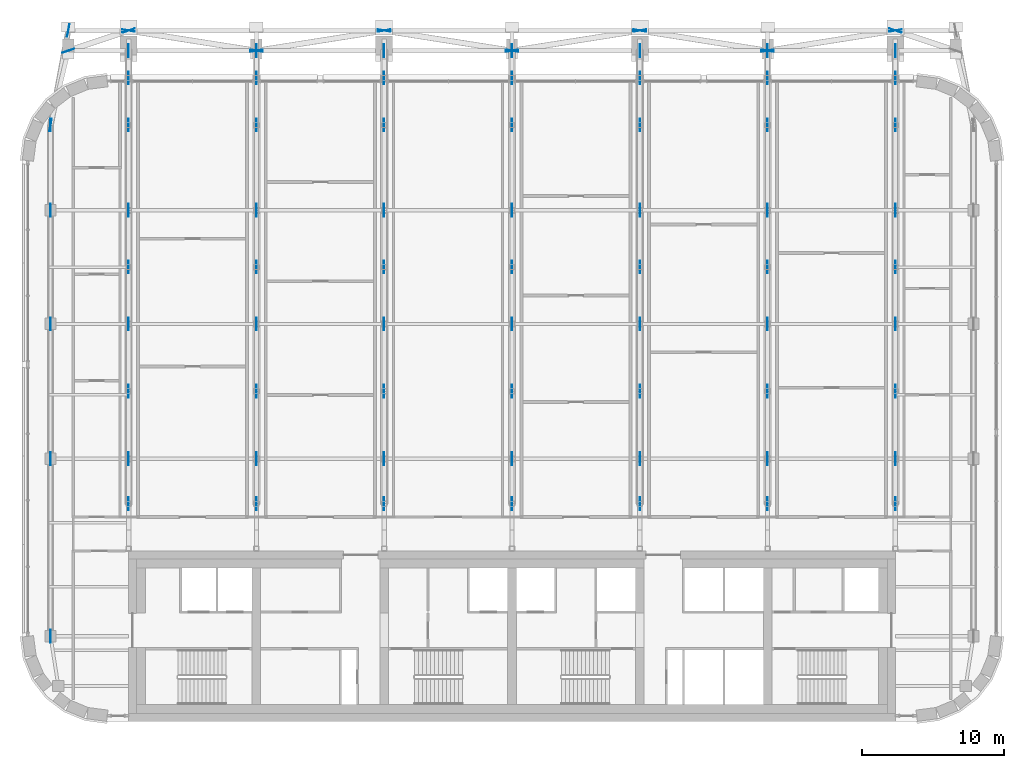
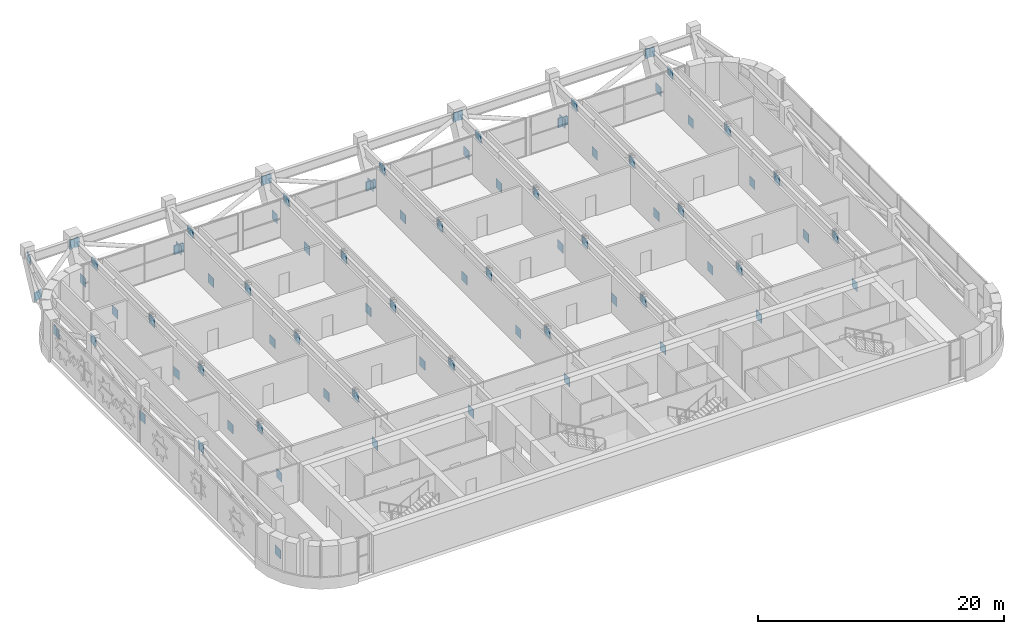
# One storey, part 22 of 28: 85 discrete accessories.
"""IFC4 building model written with IfcOpenShell, lengths in metres."""

from ifc_helpers import new_model, si_unit, direction, frame, origin, origin_2d, place, context, subcontext, project, spatial, rectangle, extrude, element, save


model = new_model("IFC4")

# Units and contexts
model_context = context("Model", 3, precision=1e-05, world=origin(), true_north=direction((0.0, 1.0)))
body_context = subcontext(model_context, "Body", "Model", "MODEL_VIEW")
ifc_project = project(units=[si_unit("LENGTHUNIT", "METRE"), si_unit("AREAUNIT", "SQUARE_METRE"), si_unit("VOLUMEUNIT", "CUBIC_METRE"), si_unit("PLANEANGLEUNIT", "RADIAN"), si_unit("MASSUNIT", "GRAM", prefix="KILO")], contexts=[model_context])

# Site, building, storey
site_placement = place(None, origin())
site = spatial("IfcSite", under=ifc_project, at=site_placement, CompositionType="ELEMENT")
building_placement = place(site_placement, origin())
building = spatial("IfcBuilding", under=site, at=building_placement, Name="Zellij Exchange Tower", CompositionType="ELEMENT")
storey_placement = place(building_placement, frame((0.0, 0.0, 268.5)))
storey = spatial("IfcBuildingStorey", under=building, at=storey_placement, Name="L63", CompositionType="ELEMENT", Elevation=268.5)

# Discrete accessories
for number, where, z_axis, x_axis, name in (
    (1, (-27.0, 1.339111328125, 0.03271484375), (0.0, 0.0, 1.0), (0.0, 1.0, 0.0), "Gusset plate"),
    (2, (-27.0, 4.5, 2.847412109375), (0.0, 0.0, 1.0), (0.0, 1.0, 0.0), "Gusset plate"),
    (3, (-27.0, 9.25, 0.03271484375), (0.0, 0.0, 1.0), (0.0, 1.0, 0.0), "Gusset plate"),
    (4, (-27.0, 14.0, 2.847412109375), (0.0, 0.0, 1.0), (0.0, 1.0, 0.0), "Gusset plate"),
    (5, (-27.0, 18.0, 0.03271484375), (0.0, 0.0, 1.0), (0.0, 1.0, 0.0), "Gusset plate"),
    (6, (-27.0, 22.0, 2.847412109375), (0.0, 0.0, 1.0), (0.0, 1.0, 0.0), "Gusset plate"),
    (7, (-27.0, 28.0, 0.03271484375), (0.0, 0.0, 1.0), (0.0, 1.0, 0.0), "Gusset plate"),
    (8, (-27.0, 31.323974609375, 2.847412109375), (0.0, 0.0, 1.0), (0.0, 1.0, 0.0), "Gusset plate"),
    (9, (-27.0, 33.2412109375, 0.03271484375), (0.0, 0.0, 1.0), (0.0, 1.0, 0.0), "Gusset plate"),
    (10, (-18.0, 1.339111328125, 0.03271484375), (0.0, 0.0, 1.0), (0.0, 1.0, 0.0), "Gusset plate"),
    (11, (-18.0, 4.5, 2.847412109375), (0.0, 0.0, 1.0), (0.0, 1.0, 0.0), "Gusset plate"),
    (12, (-18.0, 9.25, 0.03271484375), (0.0, 0.0, 1.0), (0.0, 1.0, 0.0), "Gusset plate"),
    (13, (-18.0, 14.0, 2.847412109375), (0.0, 0.0, 1.0), (0.0, 1.0, 0.0), "Gusset plate"),
    (14, (-18.0, 18.0, 0.03271484375), (0.0, 0.0, 1.0), (0.0, 1.0, 0.0), "Gusset plate"),
    (15, (-18.0, 22.0, 2.847412109375), (0.0, 0.0, 1.0), (0.0, 1.0, 0.0), "Gusset plate"),
    (16, (-18.0, 28.0, 0.03271484375), (0.0, 0.0, 1.0), (0.0, 1.0, 0.0), "Gusset plate"),
    (17, (-18.0, 31.323974609375, 2.847412109375), (0.0, 0.0, 1.0), (0.0, 1.0, 0.0), "Gusset plate"),
    (18, (-18.0, 33.2412109375, 0.03271484375), (0.0, 0.0, 1.0), (0.0, 1.0, 0.0), "Gusset plate"),
    (19, (-9.0, 1.339111328125, 0.03271484375), (0.0, 0.0, 1.0), (0.0, 1.0, 0.0), "Gusset plate"),
    (20, (-9.0, 4.5, 2.847412109375), (0.0, 0.0, 1.0), (0.0, 1.0, 0.0), "Gusset plate"),
    (21, (-9.0, 9.25, 0.03271484375), (0.0, 0.0, 1.0), (0.0, 1.0, 0.0), "Gusset plate"),
    (22, (-9.0, 14.0, 2.847412109375), (0.0, 0.0, 1.0), (0.0, 1.0, 0.0), "Gusset plate"),
    (23, (-9.0, 18.0, 0.03271484375), (0.0, 0.0, 1.0), (0.0, 1.0, 0.0), "Gusset plate"),
    (24, (-9.0, 22.0, 2.847412109375), (0.0, 0.0, 1.0), (0.0, 1.0, 0.0), "Gusset plate"),
    (25, (-9.0, 28.0, 0.03271484375), (0.0, 0.0, 1.0), (0.0, 1.0, 0.0), "Gusset plate"),
    (26, (-9.0, 31.323974609375, 2.847412109375), (0.0, 0.0, 1.0), (0.0, 1.0, 0.0), "Gusset plate"),
    (27, (-9.0, 33.2412109375, 0.03271484375), (0.0, 0.0, 1.0), (0.0, 1.0, 0.0), "Gusset plate"),
    (28, (0.0, 1.339111328125, 0.03271484375), (0.0, 0.0, 1.0), (0.0, 1.0, 0.0), "Gusset plate"),
    (29, (0.0, 4.5, 2.847412109375), (0.0, 0.0, 1.0), (0.0, 1.0, 0.0), "Gusset plate"),
    (30, (0.0, 9.25, 0.03271484375), (0.0, 0.0, 1.0), (0.0, 1.0, 0.0), "Gusset plate"),
    (31, (0.0, 14.0, 2.847412109375), (0.0, 0.0, 1.0), (0.0, 1.0, 0.0), "Gusset plate"),
    (32, (0.0, 18.0, 0.03271484375), (0.0, 0.0, 1.0), (0.0, 1.0, 0.0), "Gusset plate"),
    (33, (0.0, 22.0, 2.847412109375), (0.0, 0.0, 1.0), (0.0, 1.0, 0.0), "Gusset plate"),
    (34, (0.0, 28.0, 0.03271484375), (0.0, 0.0, 1.0), (0.0, 1.0, 0.0), "Gusset plate"),
    (35, (0.0, 31.323974609375, 2.847412109375), (0.0, 0.0, 1.0), (0.0, 1.0, 0.0), "Gusset plate"),
    (36, (0.0, 33.2412109375, 0.03271484375), (0.0, 0.0, 1.0), (0.0, 1.0, 0.0), "Gusset plate"),
    (37, (9.0, 1.339111328125, 0.03271484375), (0.0, 0.0, 1.0), (0.0, 1.0, 0.0), "Gusset plate"),
    (38, (9.0, 4.5, 2.847412109375), (0.0, 0.0, 1.0), (0.0, 1.0, 0.0), "Gusset plate"),
    (39, (9.0, 9.25, 0.03271484375), (0.0, 0.0, 1.0), (0.0, 1.0, 0.0), "Gusset plate"),
    (40, (9.0, 14.0, 2.847412109375), (0.0, 0.0, 1.0), (0.0, 1.0, 0.0), "Gusset plate"),
    (41, (9.0, 18.0, 0.03271484375), (0.0, 0.0, 1.0), (0.0, 1.0, 0.0), "Gusset plate"),
    (42, (9.0, 22.0, 2.847412109375), (0.0, 0.0, 1.0), (0.0, 1.0, 0.0), "Gusset plate"),
    (43, (9.0, 28.0, 0.03271484375), (0.0, 0.0, 1.0), (0.0, 1.0, 0.0), "Gusset plate"),
    (44, (9.0, 31.323974609375, 2.847412109375), (0.0, 0.0, 1.0), (0.0, 1.0, 0.0), "Gusset plate"),
    (45, (9.0, 33.2412109375, 0.03271484375), (0.0, 0.0, 1.0), (0.0, 1.0, 0.0), "Gusset plate"),
    (46, (18.0, 1.339111328125, 0.03271484375), (0.0, 0.0, 1.0), (0.0, 1.0, 0.0), "Gusset plate"),
    (47, (18.0, 4.5, 2.847412109375), (0.0, 0.0, 1.0), (0.0, 1.0, 0.0), "Gusset plate"),
    (48, (18.0, 9.25, 0.03271484375), (0.0, 0.0, 1.0), (0.0, 1.0, 0.0), "Gusset plate"),
    (49, (18.0, 14.0, 2.847412109375), (0.0, 0.0, 1.0), (0.0, 1.0, 0.0), "Gusset plate"),
    (50, (18.0, 18.0, 0.03271484375), (0.0, 0.0, 1.0), (0.0, 1.0, 0.0), "Gusset plate"),
    (51, (18.0, 22.0, 2.847412109375), (0.0, 0.0, 1.0), (0.0, 1.0, 0.0), "Gusset plate"),
    (52, (18.0, 28.0, 0.03271484375), (0.0, 0.0, 1.0), (0.0, 1.0, 0.0), "Gusset plate"),
    (53, (18.0, 31.323974609375, 2.847412109375), (0.0, 0.0, 1.0), (0.0, 1.0, 0.0), "Gusset plate"),
    (54, (18.0, 33.2412109375, 0.03271484375), (0.0, 0.0, 1.0), (0.0, 1.0, 0.0), "Gusset plate"),
    (55, (27.0, 1.339111328125, 0.03271484375), (0.0, 0.0, 1.0), (0.0, 1.0, 0.0), "Gusset plate"),
    (56, (27.0, 4.5, 2.847412109375), (0.0, 0.0, 1.0), (0.0, 1.0, 0.0), "Gusset plate"),
    (57, (27.0, 9.25, 0.03271484375), (0.0, 0.0, 1.0), (0.0, 1.0, 0.0), "Gusset plate"),
    (58, (27.0, 14.0, 2.847412109375), (0.0, 0.0, 1.0), (0.0, 1.0, 0.0), "Gusset plate"),
    (59, (27.0, 18.0, 0.03271484375), (0.0, 0.0, 1.0), (0.0, 1.0, 0.0), "Gusset plate"),
    (60, (27.0, 22.0, 2.847412109375), (0.0, 0.0, 1.0), (0.0, 1.0, 0.0), "Gusset plate"),
    (61, (27.0, 28.0, 0.03271484375), (0.0, 0.0, 1.0), (0.0, 1.0, 0.0), "Gusset plate"),
    (62, (27.0, 31.323974609375, 2.847412109375), (0.0, 0.0, 1.0), (0.0, 1.0, 0.0), "Gusset plate"),
    (63, (27.0, 33.2412109375, 0.03271484375), (0.0, 0.0, 1.0), (0.0, 1.0, 0.0), "Gusset plate"),
    (64, (-32.5, -8.0, 0.021240234375), (0.0, 0.0, 1.0), (0.0, 1.0, 0.0), "Gusset plate"),
    (65, (-32.5, 4.5, 2.85888671875), (0.0, 0.0, 1.0), (0.0, 1.0, 0.0), "Gusset plate"),
    (66, (-32.5, 14.0, 0.021240234375), (0.0, 0.0, 1.0), (0.0, 1.0, 0.0), "Gusset plate"),
    (67, (-32.5, 22.0, 2.85888671875), (0.0, 0.0, 1.0), (0.0, 1.0, 0.0), "Gusset plate"),
    (68, (-32.5, 28.0, 0.021240234375), (0.0, 0.0, 1.0), (0.0, 1.0, 0.0), "Gusset plate"),
    (69, (-32.5, 28.0, 0.021240234375), (0.0, 0.0, 1.0), (0.184616940161, 0.982810554179, 0.0), "Gusset plate"),
    (70, (-31.25, 34.654296875, 2.85888671875), (0.0, 0.0, 1.0), (0.184616940161, 0.982810554179, 0.0), "Gusset plate"),
    (71, (-31.25, 33.235595703125, 0.021240234375), (0.0, 0.0, 1.0), (0.948540523271, 0.316655768482, 0.0), "Gusset plate"),
    (72, (-27.0, 34.654296875, 2.85888671875), (0.0, 0.0, 1.0), (0.948540523271, 0.316655768482, 0.0), "Gusset plate"),
    (73, (-27.0, 34.654296875, 2.85888671875), (0.0, 0.0, 1.0), (0.987801117022, -0.155720753945, 0.0), "Gusset plate"),
    (74, (-18.0, 33.235595703125, 0.021240234375), (0.0, 0.0, 1.0), (0.987801117022, -0.155720753945, 0.0), "Gusset plate"),
    (75, (-18.0, 33.235595703125, 0.021240234375), (0.0, 0.0, 1.0), (0.987801117022, 0.155720753945, 0.0), "Gusset plate"),
    (76, (-9.0, 34.654296875, 2.85888671875), (0.0, 0.0, 1.0), (0.987801117022, 0.155720753945, 0.0), "Gusset plate"),
    (77, (-9.0, 34.654296875, 2.85888671875), (0.0, 0.0, 1.0), (0.987801117022, -0.155720753945, 0.0), "Gusset plate"),
    (78, (0.0, 33.235595703125, 0.021240234375), (0.0, 0.0, 1.0), (0.987801117022, -0.155720753945, 0.0), "Gusset plate"),
    (79, (0.0, 33.235595703125, 0.021240234375), (0.0, 0.0, 1.0), (0.987801117022, 0.155720753945, 0.0), "Gusset plate"),
    (80, (9.0, 34.654296875, 2.85888671875), (0.0, 0.0, 1.0), (0.987801117022, 0.155720753945, 0.0), "Gusset plate"),
    (81, (9.0, 34.654296875, 2.85888671875), (0.0, 0.0, 1.0), (0.987801117022, -0.155720753945, 0.0), "Gusset plate"),
    (82, (18.0, 33.235595703125, 0.021240234375), (0.0, 0.0, 1.0), (0.987801117022, -0.155720753945, 0.0), "Gusset plate"),
    (83, (18.0, 33.235595703125, 0.021240234375), (0.0, 0.0, 1.0), (0.987801117022, 0.155720753945, 0.0), "Gusset plate"),
    (84, (27.0, 34.654296875, 2.85888671875), (0.0, 0.0, 1.0), (0.987801117022, 0.155720753945, 0.0), "Gusset plate"),
    (85, (27.0, 34.654296875, 2.85888671875), (0.0, 0.0, 1.0), (0.948540523271, -0.316655768482, 0.0), "Gusset plate"),
):
    element("IfcDiscreteAccessory", number, at=place(storey_placement, frame(where, z_axis=z_axis, x_axis=x_axis)), inside=storey, Name=name, PredefinedType="BRACKET", context=body_context, shape_type="SweptSolid", body=[
        extrude(rectangle(XDim=0.89990234375, YDim=0.030029296875, at=origin_2d()), origin(), (0.0, 0.0, 1.0), 0.89990234375),
    ])

save(model, "model.ifc")
